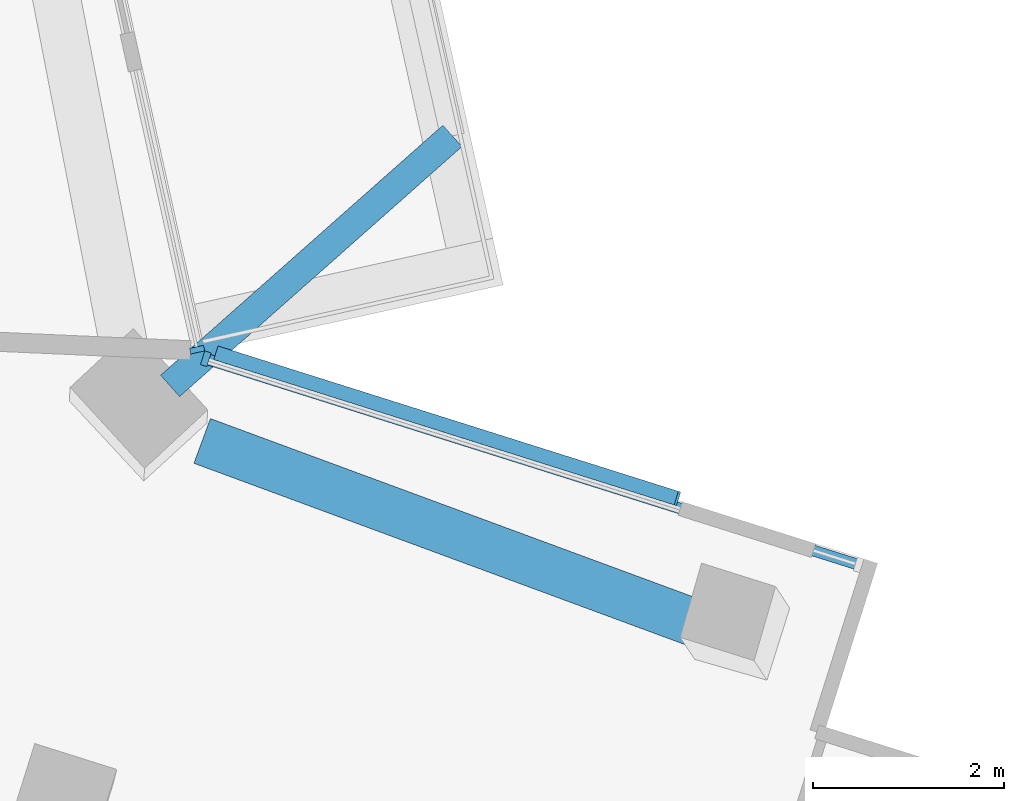
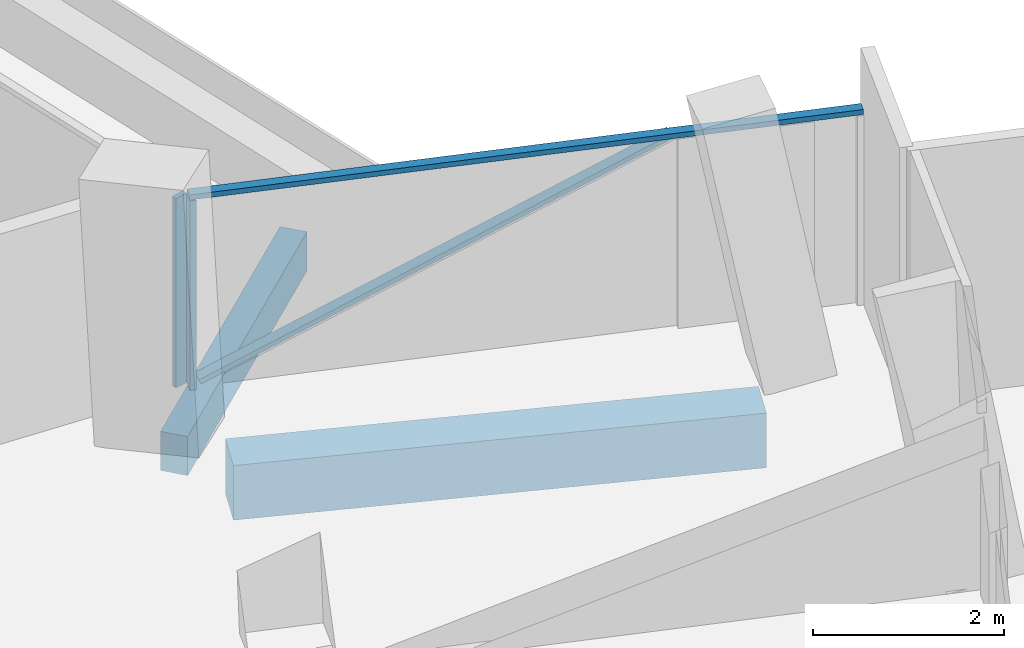
# One storey, part 6 of 24: 4 members, 2 beams, 2 elements without a shape of their own.
"""IFC4 building model written with IfcOpenShell, lengths in metres."""

from ifc_helpers import new_model, si_unit, direction, frame, origin, origin_2d, place, context, subcontext, project, spatial, rectangle, extrude, material, layer, layer_set, material_profile, profile_set, type_object, element, aggregate, save


model = new_model("IFC4")

# Units and contexts
model_context = context("Model", 3, precision=1e-05, world=origin(), true_north=direction((0.0, 1.0)))
body_context = subcontext(model_context, "Body", "Model", "MODEL_VIEW")
ifc_project = project(units=[si_unit("LENGTHUNIT", "METRE"), si_unit("AREAUNIT", "SQUARE_METRE"), si_unit("VOLUMEUNIT", "CUBIC_METRE"), si_unit("PLANEANGLEUNIT", "RADIAN"), si_unit("MASSUNIT", "GRAM", prefix="KILO")], contexts=[model_context])

# Site, building, storey
site_placement = place(None, origin())
site = spatial("IfcSite", under=ifc_project, at=site_placement, CompositionType="ELEMENT")
building_placement = place(site_placement, origin())
building = spatial("IfcBuilding", under=site, at=building_placement, Name="Verdalira Terraces Hotel", CompositionType="ELEMENT")
storey_placement = place(building_placement, frame((0.0, 0.0, 86.0)))
storey = spatial("IfcBuildingStorey", under=building, at=storey_placement, Name="L19", CompositionType="ELEMENT", Elevation=86.0)

# Beam
ifc_material_1 = material(Name="Concrete C40", Category="concrete")
ifc_material_profile_1 = material_profile(ifc_material_1, rectangle(XDim=0.300049, YDim=0.5, at=origin_2d()), Name="RC 300X500")
ifc_profile_set_1 = profile_set([ifc_material_profile_1], Name="Concrete C40")
beam_type_1 = type_object("IfcBeamType", Name="Balcony cantilever beam RC 300X500 C40", PredefinedType="BEAM", material=ifc_profile_set_1)
beam_1_placement = place(storey_placement, frame((24.726318, -1.470703, -0.560059), z_axis=(0.748727526, 0.662877886, 0.0), x_axis=(-0.662877886, 0.748727526, 0.0)))
element("IfcBeam", 1, at=beam_1_placement, inside=storey, type_object=beam_type_1, Name="Balcony cantilever beam R39-1", PredefinedType="BEAM", context=body_context, shape_type="SweptSolid", body=[
    extrude(rectangle(XDim=0.300049, YDim=0.5, at=origin_2d()), origin(), (0.0, 0.0, 1.0), 3.949951),
])

# Curtain wall, member
ifc_material_2 = material(Name="Clear glass", Category="glass")
ifc_layer_1 = layer(ifc_material_2, 0.14990234375)
ifc_layer_set_1 = layer_set([ifc_layer_1], Name="CW1 curtain wall")
curtain_wall_type_1 = type_object("IfcCurtainWallType", Name="CW1 curtain wall", PredefinedType="NOTDEFINED", material=ifc_layer_set_1)
curtain_wall_1_placement = place(storey_placement, origin())
curtain_wall_1 = element("IfcCurtainWall", 2, at=curtain_wall_1_placement, inside=storey, type_object=curtain_wall_type_1, Name="CW1 curtain wall L19 edge 39", PredefinedType="NOTDEFINED")
ifc_material_3 = material(Name="Terracotta frame", Category="masonry")
ifc_material_profile_2 = material_profile(ifc_material_3, rectangle(XDim=0.060059, YDim=0.149902, at=origin_2d()), Name="MU 60x150")
ifc_profile_set_2 = profile_set([ifc_material_profile_2], Name="Terracotta frame")
member_type_1 = type_object("IfcMemberType", Name="CW1 mullion 60x150", PredefinedType="MULLION", material=ifc_profile_set_2)
member_1_placement = place(storey_placement, frame((25.01001, -1.091064, 0.0), z_axis=(0.0, 0.0, 1.0), x_axis=(-0.216098809, 0.976371499, 0.0)))
member_1 = element("IfcMember", 3, at=member_1_placement, type_object=member_type_1, Name="CW1 mullion", PredefinedType="MULLION", context=body_context, shape_type="SweptSolid", body=[
    extrude(rectangle(XDim=0.060059, YDim=0.149902, at=origin_2d()), origin(), (0.0, 0.0, 1.0), 2.425049),
])
aggregate(curtain_wall_1, [member_1])

# Curtain wall, members
ifc_material_4 = material(Name="Clear glass", Category="glass")
ifc_layer_2 = layer(ifc_material_4, 0.14990234375)
ifc_layer_set_2 = layer_set([ifc_layer_2], Name="CW2 curtain wall")
curtain_wall_type_2 = type_object("IfcCurtainWallType", Name="CW2 curtain wall", PredefinedType="NOTDEFINED", material=ifc_layer_set_2)
curtain_wall_2_placement = place(storey_placement, origin())
curtain_wall_2 = element("IfcCurtainWall", 4, at=curtain_wall_2_placement, inside=storey, type_object=curtain_wall_type_2, Name="CW2 curtain wall L19 edge 38", PredefinedType="NOTDEFINED")
ifc_material_5 = material(Name="Terracotta frame", Category="masonry")
ifc_material_profile_3 = material_profile(ifc_material_5, rectangle(XDim=0.070068, YDim=0.149902, at=origin_2d()), Name="MU 70x150")
ifc_profile_set_3 = profile_set([ifc_material_profile_3], Name="Terracotta frame")
member_type_2 = type_object("IfcMemberType", Name="CW2 mullion 70x150", PredefinedType="MULLION", material=ifc_profile_set_3)
member_2_placement = place(storey_placement, frame((25.100586, -1.186279, 0.0), z_axis=(0.0, 0.0, 1.0), x_axis=(-0.953611927, 0.301038691, 0.0)))
member_2 = element("IfcMember", 5, at=member_2_placement, type_object=member_type_2, Name="CW2 mullion", PredefinedType="MULLION", context=body_context, shape_type="SweptSolid", body=[
    extrude(rectangle(XDim=0.070068, YDim=0.149902, at=origin_2d()), origin(), (0.0, 0.0, 1.0), 2.425049),
])
ifc_material_6 = material(Name="Terracotta frame", Category="masonry")
ifc_material_profile_4 = material_profile(ifc_material_6, rectangle(XDim=0.11499, YDim=0.064941, at=origin_2d()), Name="TR 65x115")
ifc_profile_set_4 = profile_set([ifc_material_profile_4], Name="Terracotta frame")
member_type_3 = type_object("IfcMemberType", Name="CW2 transom 65x115", PredefinedType="USERDEFINED", material=ifc_profile_set_4)
member_3_placement = place(storey_placement, frame((31.970215, -3.35498, 2.45752), z_axis=(-0.953611205, 0.301040977, 0.0), x_axis=(-0.301040977, -0.953611205, 0.0)))
member_3 = element("IfcMember", 6, at=member_3_placement, type_object=member_type_3, Name="CW2 transom", ObjectType="TRANSOM", PredefinedType="USERDEFINED", context=body_context, shape_type="SweptSolid", body=[
    extrude(rectangle(XDim=0.11499, YDim=0.064941, at=origin_2d()), origin(), (0.0, 0.0, 1.0), 7.23877),
])
ifc_material_7 = material(Name="Terracotta frame", Category="masonry")
ifc_material_profile_5 = material_profile(ifc_material_7, rectangle(XDim=0.149902, YDim=0.060059, at=origin_2d()), Name="GB 60x150")
ifc_profile_set_5 = profile_set([ifc_material_profile_5], Name="Terracotta frame")
member_type_4 = type_object("IfcMemberType", Name="Diagonal glazing bar 60x150", PredefinedType="USERDEFINED", material=ifc_profile_set_5)
member_4_placement = place(storey_placement, frame((30.039551, -2.649902, 2.396973), z_axis=(-0.863524314, 0.272595229, -0.42428481), x_axis=(-0.301034302, -0.953613312, 0.0)))
member_4 = element("IfcMember", 7, at=member_4_placement, type_object=member_type_4, Name="Diagonal glazing bar", ObjectType="GLAZING BAR", PredefinedType="USERDEFINED", context=body_context, shape_type="SweptSolid", body=[
    extrude(rectangle(XDim=0.149902, YDim=0.060059, at=origin_2d()), origin(), (0.0, 0.0, 1.0), 5.583252),
])
aggregate(curtain_wall_2, [member_2, member_3, member_4])

# Beam
ifc_material_8 = material(Name="Concrete C70", Category="concrete")
ifc_material_profile_6 = material_profile(ifc_material_8, rectangle(XDim=0.5, YDim=0.699951, at=origin_2d()), Name="RC 500X700")
ifc_profile_set_6 = profile_set([ifc_material_profile_6], Name="Concrete C70")
beam_type_2 = type_object("IfcBeamType", Name="Spandrel beam RC 500X700 C70", PredefinedType="SPANDREL", material=ifc_profile_set_6)
beam_2_placement = place(storey_placement, frame((30.384521, -4.011963, -0.659912), z_axis=(-0.938104863, 0.346351362, 0.0), x_axis=(-0.346351362, -0.938104863, 0.0)))
element("IfcBeam", 8, at=beam_2_placement, inside=storey, type_object=beam_type_2, Name="Spandrel beam B23", PredefinedType="SPANDREL", context=body_context, shape_type="SweptSolid", body=[
    extrude(rectangle(XDim=0.5, YDim=0.699951, at=origin_2d()), origin(), (0.0, 0.0, 1.0), 5.673584),
])

save(model, "model.ifc")
